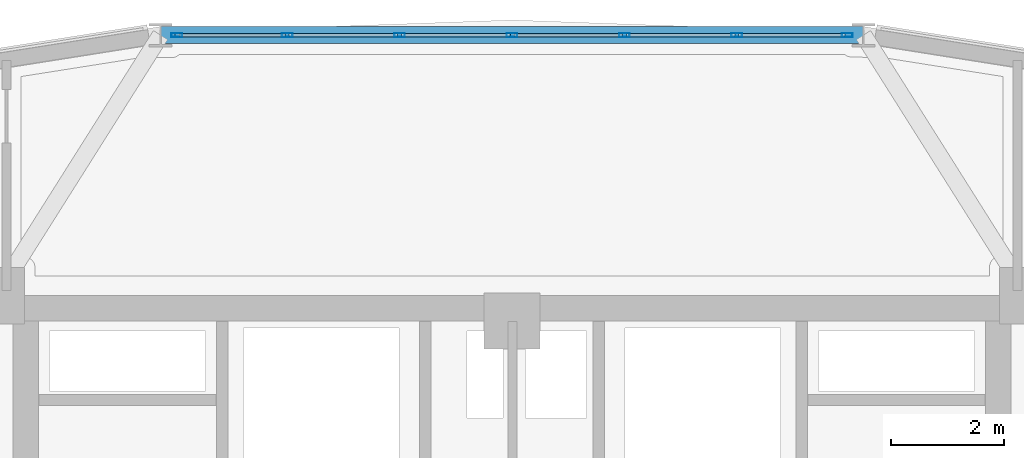
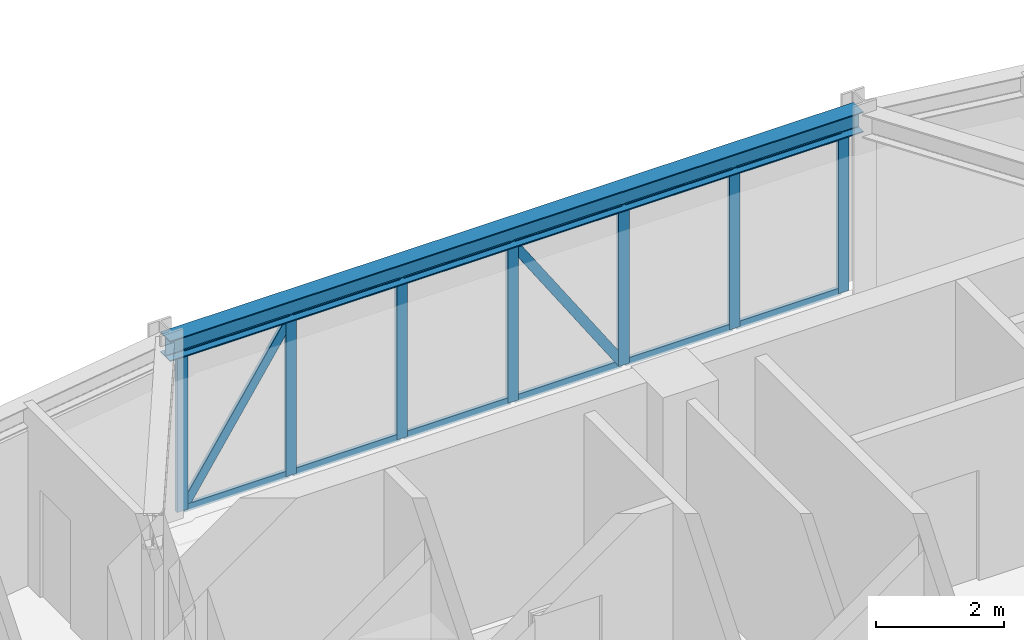
# One storey, part 8 of 14: 21 members, 1 beam, 1 element without a shape of its own.
"""IFC4 building model written with IfcOpenShell, lengths in metres."""

from ifc_helpers import new_model, si_unit, derived_unit, direction, frame, origin, origin_2d, place, context, subcontext, project, spatial, hollow_rectangle, i_section, extrude, source, transform, mapped, material, layer, layer_set, material_profile, profile_set, type_object, element, aggregate, save


model = new_model("IFC4")

# Units and contexts
model_context = context("Model", 3, precision=1e-05, world=origin(), true_north=direction((0.0, 1.0)))
body_context = subcontext(model_context, "Body", "Model", "MODEL_VIEW")
ifc_project = project(units=[si_unit("LENGTHUNIT", "METRE"), si_unit("AREAUNIT", "SQUARE_METRE"), si_unit("VOLUMEUNIT", "CUBIC_METRE"), si_unit("PLANEANGLEUNIT", "RADIAN"), si_unit("MASSUNIT", "GRAM", prefix="KILO"), derived_unit("THERMALTRANSMITTANCEUNIT", [(si_unit("POWERUNIT", "WATT"), 1), (si_unit("LENGTHUNIT", "METRE"), -2), (si_unit("THERMODYNAMICTEMPERATUREUNIT", "KELVIN"), -1)])], contexts=[model_context])

# Site, building, storey
site_placement = place(None, origin())
site = spatial("IfcSite", under=ifc_project, at=site_placement, CompositionType="ELEMENT")
building_placement = place(site_placement, origin())
building = spatial("IfcBuilding", under=site, at=building_placement, Name="Korsvarv Bourse and Concert Hall", CompositionType="ELEMENT")
storey_placement = place(building_placement, frame((0.0, 0.0, 193.800048828125)))
storey = spatial("IfcBuildingStorey", under=building, at=storey_placement, Name="L50", CompositionType="ELEMENT", Elevation=193.800048828125)

# Beam
ifc_material_1 = material(Name="Steel S355", Category="steel")
ifc_material_profile_1 = material_profile(ifc_material_1, i_section(OverallWidth=0.300048828125, OverallDepth=0.389892578125, WebThickness=0.010986328125, FlangeThickness=0.01904296875, FilletRadius=0.02099609375, at=origin_2d()), Name="HEA 400")
ifc_profile_set_1 = profile_set([ifc_material_profile_1], Name="Steel S355")
beam_type = type_object("IfcBeamType", Name="BM-HEA400", PredefinedType="BEAM", material=ifc_profile_set_1)
shared_shape_1 = source(origin(), body_context, "Body", "SweptSolid", [
    extrude(i_section(OverallWidth=0.300048828125, OverallDepth=0.389892578125, WebThickness=0.010986328125, FlangeThickness=0.01904296875, FilletRadius=0.02099609375, at=origin_2d()), origin(), (0.0, 0.0, 1.0), 12.46630859375),
])
beam_placement = place(storey_placement, frame((42.233154296875, 51.871826171875, 3.204833984375), z_axis=(-1.0, 0.0, 0.0), x_axis=(0.0, -1.0, 0.0)))
element("IfcBeam", 1, at=beam_placement, inside=storey, type_object=beam_type, Name="L50 beam B-11", PredefinedType="BEAM", context=body_context, shape_type="MappedRepresentation", body=[
    mapped(shared_shape_1, transform((0.0, 0.0, 0.0), scale=1.0)),
])

# Curtain wall, members
ifc_material_2 = material(Name="Anodised aluminium and triple low-E glazing", Category="glass")
ifc_layer = layer(ifc_material_2, 0.199951171875)
ifc_layer_set = layer_set([ifc_layer], Name="Anodised aluminium and triple low-E glazing")
curtain_wall_type = type_object("IfcCurtainWallType", Name="CW-SYS-3", PredefinedType="NOTDEFINED", material=ifc_layer_set)
curtain_wall_placement = place(storey_placement, origin())
curtain_wall = element("IfcCurtainWall", 2, at=curtain_wall_placement, inside=storey, type_object=curtain_wall_type, Name="L50 CW3 curtain wall CW-L50-F03", PredefinedType="NOTDEFINED")
ifc_material_3 = material(Name="Extruded aluminium EN AW-6063 T66", Category="aluminium")
ifc_material_profile_2 = material_profile(ifc_material_3, hollow_rectangle(XDim=0.06494140625, YDim=0.139892578125, WallThickness=0.00390625, at=origin_2d()), Name="ALU-T 65x140")
ifc_profile_set_2 = profile_set([ifc_material_profile_2], Name="Extruded aluminium EN AW-6063 T66")
member_type_1 = type_object("IfcMemberType", Name="CWT-140", PredefinedType="USERDEFINED", material=ifc_profile_set_2)
shared_shape_2 = source(origin(), body_context, "Body", "SweptSolid", [
    extrude(hollow_rectangle(XDim=0.06494140625, YDim=0.139892578125, WallThickness=0.00390625, at=origin_2d()), origin(), (0.0, 0.0, 1.0), 1.92333984375),
])
member_1_placement = place(storey_placement, frame((39.95166015625, 51.871826171875, 0.032470703125), z_axis=(-1.0, 0.0, 0.0), x_axis=(0.0, -1.0, 0.0)))
member_1 = element("IfcMember", 3, at=member_1_placement, type_object=member_type_1, Name="CW3 transom 2.1", ObjectType="TRANSOM", PredefinedType="USERDEFINED", context=body_context, shape_type="MappedRepresentation", body=[
    mapped(shared_shape_2, transform((0.0, 0.0, 0.0), scale=1.0)),
])
member_2_placement = place(storey_placement, frame((39.95166015625, 51.871826171875, 2.9775390625), z_axis=(-1.0, 0.0, 0.0), x_axis=(0.0, -1.0, 0.0)))
member_2 = element("IfcMember", 4, at=member_2_placement, type_object=member_type_1, Name="CW3 transom 2.2", ObjectType="TRANSOM", PredefinedType="USERDEFINED", context=body_context, shape_type="MappedRepresentation", body=[
    mapped(shared_shape_2, transform((0.0, 0.0, 0.0), scale=1.0)),
])
member_3_placement = place(storey_placement, frame((37.958251953125, 51.871826171875, 0.032470703125), z_axis=(-1.0, 0.0, 0.0), x_axis=(0.0, -1.0, 0.0)))
member_3 = element("IfcMember", 5, at=member_3_placement, type_object=member_type_1, Name="CW3 transom 3.1", ObjectType="TRANSOM", PredefinedType="USERDEFINED", context=body_context, shape_type="MappedRepresentation", body=[
    mapped(shared_shape_2, transform((0.0, 0.0, 0.0), scale=1.0)),
])
member_4_placement = place(storey_placement, frame((37.958251953125, 51.871826171875, 2.9775390625), z_axis=(-1.0, 0.0, 0.0), x_axis=(0.0, -1.0, 0.0)))
member_4 = element("IfcMember", 6, at=member_4_placement, type_object=member_type_1, Name="CW3 transom 3.2", ObjectType="TRANSOM", PredefinedType="USERDEFINED", context=body_context, shape_type="MappedRepresentation", body=[
    mapped(shared_shape_2, transform((0.0, 0.0, 0.0), scale=1.0)),
])
member_5_placement = place(storey_placement, frame((35.965087890625, 51.871826171875, 0.032470703125), z_axis=(-1.0, 0.0, 0.0), x_axis=(0.0, -1.0, 0.0)))
member_5 = element("IfcMember", 7, at=member_5_placement, type_object=member_type_1, Name="CW3 transom 4.1", ObjectType="TRANSOM", PredefinedType="USERDEFINED", context=body_context, shape_type="MappedRepresentation", body=[
    mapped(shared_shape_2, transform((0.0, 0.0, 0.0), scale=1.0)),
])
member_6_placement = place(storey_placement, frame((35.965087890625, 51.871826171875, 2.9775390625), z_axis=(-1.0, 0.0, 0.0), x_axis=(0.0, -1.0, 0.0)))
member_6 = element("IfcMember", 8, at=member_6_placement, type_object=member_type_1, Name="CW3 transom 4.2", ObjectType="TRANSOM", PredefinedType="USERDEFINED", context=body_context, shape_type="MappedRepresentation", body=[
    mapped(shared_shape_2, transform((0.0, 0.0, 0.0), scale=1.0)),
])
member_7_placement = place(storey_placement, frame((33.9716796875, 51.871826171875, 0.032470703125), z_axis=(-1.0, 0.0, 0.0), x_axis=(0.0, -1.0, 0.0)))
member_7 = element("IfcMember", 9, at=member_7_placement, type_object=member_type_1, Name="CW3 transom 5.1", ObjectType="TRANSOM", PredefinedType="USERDEFINED", context=body_context, shape_type="MappedRepresentation", body=[
    mapped(shared_shape_2, transform((0.0, 0.0, 0.0), scale=1.0)),
])
member_8_placement = place(storey_placement, frame((33.9716796875, 51.871826171875, 2.9775390625), z_axis=(-1.0, 0.0, 0.0), x_axis=(0.0, -1.0, 0.0)))
member_8 = element("IfcMember", 10, at=member_8_placement, type_object=member_type_1, Name="CW3 transom 5.2", ObjectType="TRANSOM", PredefinedType="USERDEFINED", context=body_context, shape_type="MappedRepresentation", body=[
    mapped(shared_shape_2, transform((0.0, 0.0, 0.0), scale=1.0)),
])
ifc_material_profile_3 = material_profile(ifc_material_3, hollow_rectangle(XDim=0.070068359375, YDim=0.18994140625, WallThickness=0.0048828125, at=origin_2d()), Name="ALU-M 70x190")
ifc_profile_set_3 = profile_set([ifc_material_profile_3], Name="Extruded aluminium EN AW-6063 T66")
member_type_2 = type_object("IfcMemberType", Name="CWM-190", PredefinedType="MULLION", material=ifc_profile_set_3)
shared_shape_3 = source(origin(), body_context, "Body", "SweptSolid", [
    extrude(hollow_rectangle(XDim=0.070068359375, YDim=0.18994140625, WallThickness=0.0048828125, at=origin_2d()), origin(), (0.0, 0.0, 1.0), 3.010009765625),
])
member_9_placement = place(storey_placement, frame((41.945068359375, 51.871826171875, 0.0), z_axis=(0.0, 0.0, 1.0), x_axis=(0.0, -1.0, 0.0)))
member_9 = element("IfcMember", 11, at=member_9_placement, type_object=member_type_2, Name="CW3 mullion 1", PredefinedType="MULLION", context=body_context, shape_type="MappedRepresentation", body=[
    mapped(shared_shape_3, transform((0.0, 0.0, 0.0), scale=1.0)),
])
member_10_placement = place(storey_placement, frame((39.98681640625, 51.871826171875, 0.0), z_axis=(0.0, 0.0, 1.0), x_axis=(0.0, -1.0, 0.0)))
member_10 = element("IfcMember", 12, at=member_10_placement, type_object=member_type_2, Name="CW3 mullion 2", PredefinedType="MULLION", context=body_context, shape_type="MappedRepresentation", body=[
    mapped(shared_shape_3, transform((0.0, 0.0, 0.0), scale=1.0)),
])
member_11_placement = place(storey_placement, frame((37.993408203125, 51.871826171875, 0.0), z_axis=(0.0, 0.0, 1.0), x_axis=(0.0, -1.0, 0.0)))
member_11 = element("IfcMember", 13, at=member_11_placement, type_object=member_type_2, Name="CW3 mullion 3", PredefinedType="MULLION", context=body_context, shape_type="MappedRepresentation", body=[
    mapped(shared_shape_3, transform((0.0, 0.0, 0.0), scale=1.0)),
])
member_12_placement = place(storey_placement, frame((36.0, 51.871826171875, 0.0), z_axis=(0.0, 0.0, 1.0), x_axis=(0.0, -1.0, 0.0)))
member_12 = element("IfcMember", 14, at=member_12_placement, type_object=member_type_2, Name="CW3 mullion 4", PredefinedType="MULLION", context=body_context, shape_type="MappedRepresentation", body=[
    mapped(shared_shape_3, transform((0.0, 0.0, 0.0), scale=1.0)),
])
member_13_placement = place(storey_placement, frame((34.006591796875, 51.871826171875, 0.0), z_axis=(0.0, 0.0, 1.0), x_axis=(0.0, -1.0, 0.0)))
member_13 = element("IfcMember", 15, at=member_13_placement, type_object=member_type_2, Name="CW3 mullion 5", PredefinedType="MULLION", context=body_context, shape_type="MappedRepresentation", body=[
    mapped(shared_shape_3, transform((0.0, 0.0, 0.0), scale=1.0)),
])
member_14_placement = place(storey_placement, frame((32.01318359375, 51.871826171875, 0.0), z_axis=(0.0, 0.0, 1.0), x_axis=(0.0, -1.0, 0.0)))
member_14 = element("IfcMember", 16, at=member_14_placement, type_object=member_type_2, Name="CW3 mullion 6", PredefinedType="MULLION", context=body_context, shape_type="MappedRepresentation", body=[
    mapped(shared_shape_3, transform((0.0, 0.0, 0.0), scale=1.0)),
])
member_15_placement = place(storey_placement, frame((30.054931640625, 51.871826171875, 0.0), z_axis=(0.0, 0.0, 1.0), x_axis=(0.0, -1.0, 0.0)))
member_15 = element("IfcMember", 17, at=member_15_placement, type_object=member_type_2, Name="CW3 mullion 7", PredefinedType="MULLION", context=body_context, shape_type="MappedRepresentation", body=[
    mapped(shared_shape_3, transform((0.0, 0.0, 0.0), scale=1.0)),
])
shared_shape_4 = source(origin(), body_context, "Body", "SweptSolid", [
    extrude(hollow_rectangle(XDim=0.06494140625, YDim=0.139892578125, WallThickness=0.00390625, at=origin_2d()), origin(), (0.0, 0.0, 1.0), 1.888427734375),
])
member_16_placement = place(storey_placement, frame((41.91015625, 51.871826171875, 0.032470703125), z_axis=(-1.0, 0.0, 0.0), x_axis=(0.0, -1.0, 0.0)))
member_16 = element("IfcMember", 18, at=member_16_placement, type_object=member_type_1, Name="CW3 transom 1.1", ObjectType="TRANSOM", PredefinedType="USERDEFINED", context=body_context, shape_type="MappedRepresentation", body=[
    mapped(shared_shape_4, transform((0.0, 0.0, 0.0), scale=1.0)),
])
member_17_placement = place(storey_placement, frame((41.91015625, 51.871826171875, 2.9775390625), z_axis=(-1.0, 0.0, 0.0), x_axis=(0.0, -1.0, 0.0)))
member_17 = element("IfcMember", 19, at=member_17_placement, type_object=member_type_1, Name="CW3 transom 1.2", ObjectType="TRANSOM", PredefinedType="USERDEFINED", context=body_context, shape_type="MappedRepresentation", body=[
    mapped(shared_shape_4, transform((0.0, 0.0, 0.0), scale=1.0)),
])
member_18_placement = place(storey_placement, frame((31.978271484375, 51.871826171875, 0.032470703125), z_axis=(-1.0, 0.0, 0.0), x_axis=(0.0, -1.0, 0.0)))
member_18 = element("IfcMember", 20, at=member_18_placement, type_object=member_type_1, Name="CW3 transom 6.1", ObjectType="TRANSOM", PredefinedType="USERDEFINED", context=body_context, shape_type="MappedRepresentation", body=[
    mapped(shared_shape_4, transform((0.0, 0.0, 0.0), scale=1.0)),
])
member_19_placement = place(storey_placement, frame((31.978271484375, 51.871826171875, 2.9775390625), z_axis=(-1.0, 0.0, 0.0), x_axis=(0.0, -1.0, 0.0)))
member_19 = element("IfcMember", 21, at=member_19_placement, type_object=member_type_1, Name="CW3 transom 6.2", ObjectType="TRANSOM", PredefinedType="USERDEFINED", context=body_context, shape_type="MappedRepresentation", body=[
    mapped(shared_shape_4, transform((0.0, 0.0, 0.0), scale=1.0)),
])
ifc_material_profile_4 = material_profile(ifc_material_3, hollow_rectangle(XDim=0.06494140625, YDim=0.1650390625, WallThickness=0.0048828125, at=origin_2d()), Name="ALU-M 65x165")
ifc_profile_set_4 = profile_set([ifc_material_profile_4], Name="Extruded aluminium EN AW-6063 T66")
member_type_3 = type_object("IfcMemberType", Name="CWM-165", PredefinedType="MULLION", material=ifc_profile_set_4)
shared_shape_5 = source(origin(), body_context, "Body", "SweptSolid", [
    extrude(hollow_rectangle(XDim=0.06494140625, YDim=0.1650390625, WallThickness=0.0048828125, at=origin_2d()), origin(), (0.0, 0.0, 1.0), 3.46337890625),
])
member_20_placement = place(storey_placement, frame((37.958251953125, 51.871826171875, 0.06494140625), z_axis=(-0.555350739276, 0.0, 0.831616231435), x_axis=(0.0, -1.0, 0.0)))
member_20 = element("IfcMember", 22, at=member_20_placement, type_object=member_type_3, Name="CW3 diagonal mullion 3", PredefinedType="MULLION", context=body_context, shape_type="MappedRepresentation", body=[
    mapped(shared_shape_5, transform((0.0, 0.0, 0.0), scale=1.0)),
])
shared_shape_6 = source(origin(), body_context, "Body", "SweptSolid", [
    extrude(hollow_rectangle(XDim=0.06494140625, YDim=0.1650390625, WallThickness=0.0048828125, at=origin_2d()), origin(), (0.0, 0.0, 1.0), 3.444091796875),
])
member_21_placement = place(storey_placement, frame((30.08984375, 51.871826171875, 0.06494140625), z_axis=(0.548320391847, 0.0, 0.836268346815), x_axis=(0.0, 1.0, 0.0)))
member_21 = element("IfcMember", 23, at=member_21_placement, type_object=member_type_3, Name="CW3 diagonal mullion 6", PredefinedType="MULLION", context=body_context, shape_type="MappedRepresentation", body=[
    mapped(shared_shape_6, transform((0.0, 0.0, 0.0), scale=1.0)),
])
aggregate(curtain_wall, [member_9, member_10, member_11, member_12, member_13, member_14, member_15, member_16, member_17, member_1, member_2, member_3, member_4, member_20, member_5, member_6, member_7, member_8, member_18, member_19, member_21])

save(model, "model.ifc")
